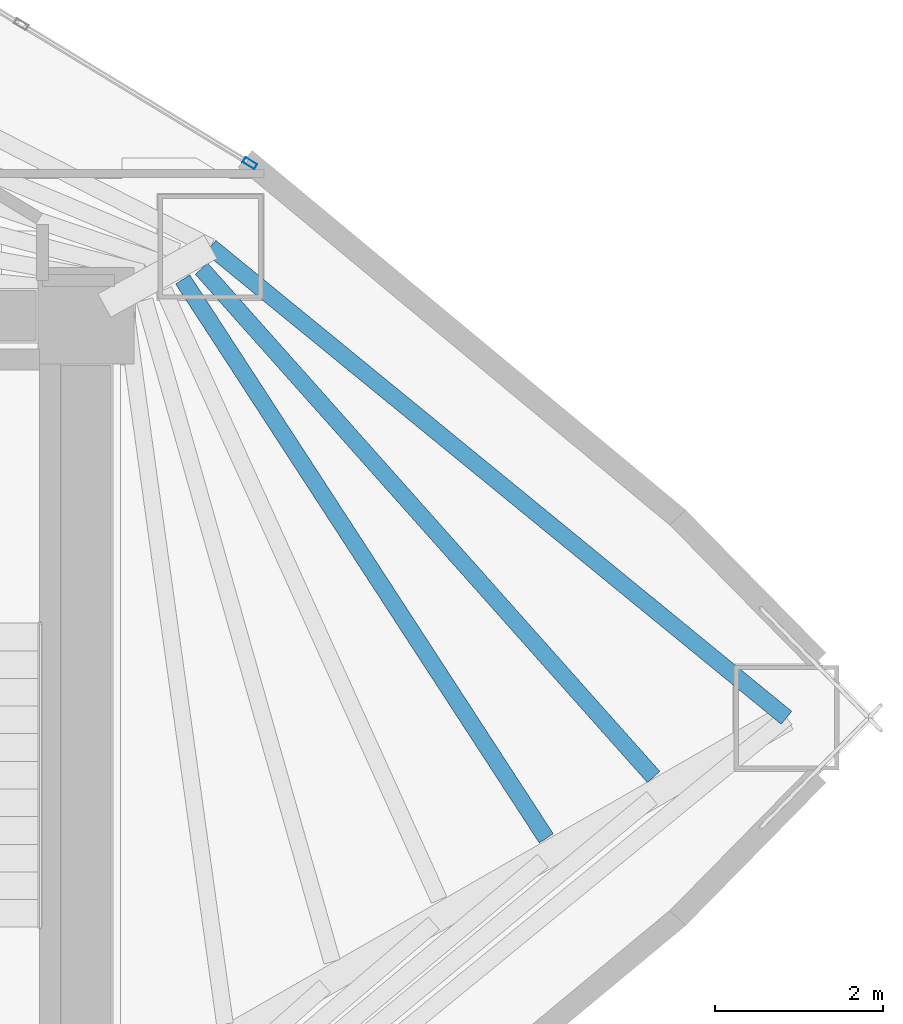
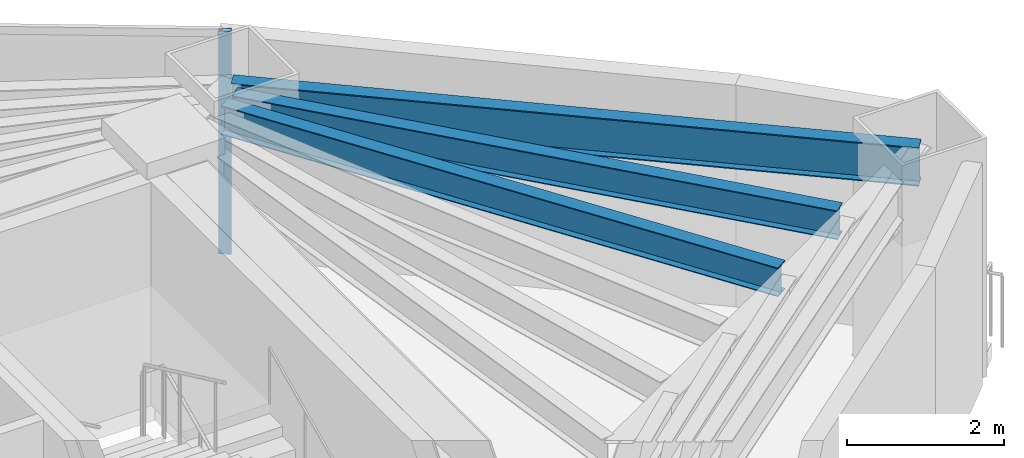
# One storey, part 10 of 16: 3 beams, 1 member, 1 element without a shape of its own.
"""IFC4 building model written with IfcOpenShell, lengths in metres."""

from ifc_helpers import new_model, si_unit, direction, frame, origin, origin_2d, place, context, subcontext, project, spatial, hollow_rectangle, i_section, extrude, material, layer, layer_set, material_profile, profile_set, type_object, element, aggregate, save


model = new_model("IFC4")

# Units and contexts
model_context = context("Model", 3, precision=1e-05, world=origin(), true_north=direction((0.0, 1.0)))
body_context = subcontext(model_context, "Body", "Model", "MODEL_VIEW")
ifc_project = project(units=[si_unit("LENGTHUNIT", "METRE"), si_unit("AREAUNIT", "SQUARE_METRE"), si_unit("VOLUMEUNIT", "CUBIC_METRE"), si_unit("PLANEANGLEUNIT", "RADIAN"), si_unit("MASSUNIT", "GRAM", prefix="KILO")], contexts=[model_context])

# Site, building, storey
site_placement = place(None, origin())
site = spatial("IfcSite", under=ifc_project, at=site_placement, CompositionType="ELEMENT")
building_placement = place(site_placement, origin())
building = spatial("IfcBuilding", under=site, at=building_placement, Name="Menara Vayukalpa", CompositionType="ELEMENT")
storey_placement = place(building_placement, frame((0.0, 0.0, 75.9599609375)))
storey = spatial("IfcBuildingStorey", under=building, at=storey_placement, Name="L18", CompositionType="ELEMENT", Elevation=75.9599609375)

# Beams
ifc_material_1 = material(Name="Steel S355", Category="steel")
ifc_material_profile_1 = material_profile(ifc_material_1, i_section(OverallWidth=0.199951171875, OverallDepth=0.449951171875, WebThickness=0.009033203125, FlangeThickness=0.013916015625, at=origin_2d()), Name="WF 450x200x9x14")
ifc_profile_set_1 = profile_set([ifc_material_profile_1], Name="Steel S355")
beam_type_1 = type_object("IfcBeamType", Name="BM-SJ1", PredefinedType="JOIST", material=ifc_profile_set_1)
beam_1_placement = place(storey_placement, frame((38.894287109375, 20.561279296875, 3.2451171875), z_axis=(-0.545357035492, 0.838203855777, 0.0), x_axis=(-0.838203855777, -0.545357035492, 0.0)))
element("IfcBeam", 1, at=beam_1_placement, inside=storey, type_object=beam_type_1, Name="L18 Secondary Floor Joist SJ01-4", PredefinedType="JOIST", context=body_context, shape_type="SweptSolid", body=[
    extrude(i_section(OverallWidth=0.199951171875, OverallDepth=0.449951171875, WebThickness=0.009033203125, FlangeThickness=0.013916015625, at=origin_2d()), origin(), (0.0, 0.0, 1.0), 7.959228515625),
])
beam_2_placement = place(storey_placement, frame((40.176025390625, 21.29296875, 3.2451171875), z_axis=(-0.664626886511, 0.747175415633, 0.0), x_axis=(-0.747175415633, -0.664626886511, 0.0)))
element("IfcBeam", 2, at=beam_2_placement, inside=storey, type_object=beam_type_1, Name="L18 Secondary Floor Joist SJ01-5", PredefinedType="JOIST", context=body_context, shape_type="SweptSolid", body=[
    extrude(i_section(OverallWidth=0.199951171875, OverallDepth=0.449951171875, WebThickness=0.009033203125, FlangeThickness=0.013916015625, at=origin_2d()), origin(), (0.0, 0.0, 1.0), 8.121337890625),
])
ifc_material_2 = material(Name="Steel S355", Category="steel")
ifc_material_profile_2 = material_profile(ifc_material_2, i_section(OverallWidth=0.199951171875, OverallDepth=0.60009765625, WebThickness=0.010986328125, FlangeThickness=0.01708984375, at=origin_2d()), Name="WF 600x200x11x17")
ifc_profile_set_2 = profile_set([ifc_material_profile_2], Name="Steel S355")
beam_type_2 = type_object("IfcBeamType", Name="BM-SP1", PredefinedType="SPANDREL", material=ifc_profile_set_2)
beam_3_placement = place(storey_placement, frame((41.761962890625, 22.0, 3.169921875), z_axis=(-0.774156906301, 0.632993747541, 0.0), x_axis=(-0.632993747541, -0.774156906301, 0.0)))
element("IfcBeam", 3, at=beam_3_placement, inside=storey, type_object=beam_type_2, Name="L18 Perimeter Spandrel Beam SP01", PredefinedType="SPANDREL", context=body_context, shape_type="SweptSolid", body=[
    extrude(i_section(OverallWidth=0.199951171875, OverallDepth=0.60009765625, WebThickness=0.010986328125, FlangeThickness=0.01708984375, at=origin_2d()), origin(), (0.0, 0.0, 1.0), 8.880859375),
])

# Curtain wall, member
ifc_material_3 = material(Name="Anodised Terracotta Aluminium Alloy 6063-T6", Category="masonry")
ifc_layer = layer(ifc_material_3, 0.1650390625)
ifc_layer_set = layer_set([ifc_layer], Name="Anodised Terracotta Aluminium Alloy 6063-T6")
curtain_wall_type = type_object("IfcCurtainWallType", Name="CW-CW2", PredefinedType="USERDEFINED", material=ifc_layer_set)
curtain_wall_placement = place(storey_placement, origin())
curtain_wall = element("IfcCurtainWall", 4, at=curtain_wall_placement, inside=storey, type_object=curtain_wall_type, Name="L18 Low Rise Terracotta Ribbon Curtain Wall CW2 04", ObjectType="UNITISED", PredefinedType="USERDEFINED")
ifc_material_4 = material(Name="Anodised Terracotta Aluminium Alloy 6063-T6", Category="masonry")
ifc_material_profile_3 = material_profile(ifc_material_4, hollow_rectangle(XDim=0.070068359375, YDim=0.1650390625, WallThickness=0.00390625, at=origin_2d()), Name="ALU 70x165x4")
ifc_profile_set_3 = profile_set([ifc_material_profile_3], Name="Anodised Terracotta Aluminium Alloy 6063-T6")
member_type = type_object("IfcMemberType", Name="CWM-CW2", PredefinedType="MULLION", material=ifc_profile_set_3)
member_placement = place(storey_placement, frame((35.356201171875, 28.6201171875, 0.0), z_axis=(0.0, 0.0, 1.0), x_axis=(-0.519182959112, -0.854663123674, 0.0)))
member = element("IfcMember", 5, at=member_placement, type_object=member_type, Name="CW2 mullion 1", PredefinedType="MULLION", context=body_context, shape_type="SweptSolid", body=[
    extrude(hollow_rectangle(XDim=0.070068359375, YDim=0.1650390625, WallThickness=0.00390625, at=origin_2d()), origin(), (0.0, 0.0, 1.0), 3.469970703125),
])
aggregate(curtain_wall, [member])

save(model, "model.ifc")
